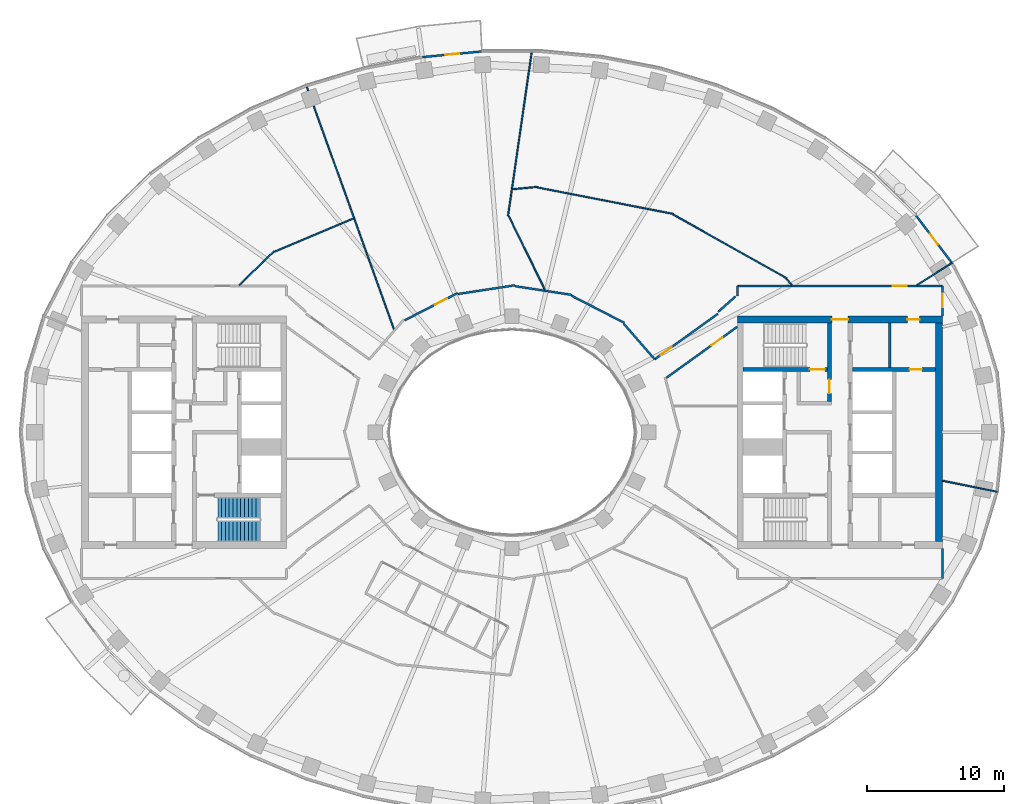
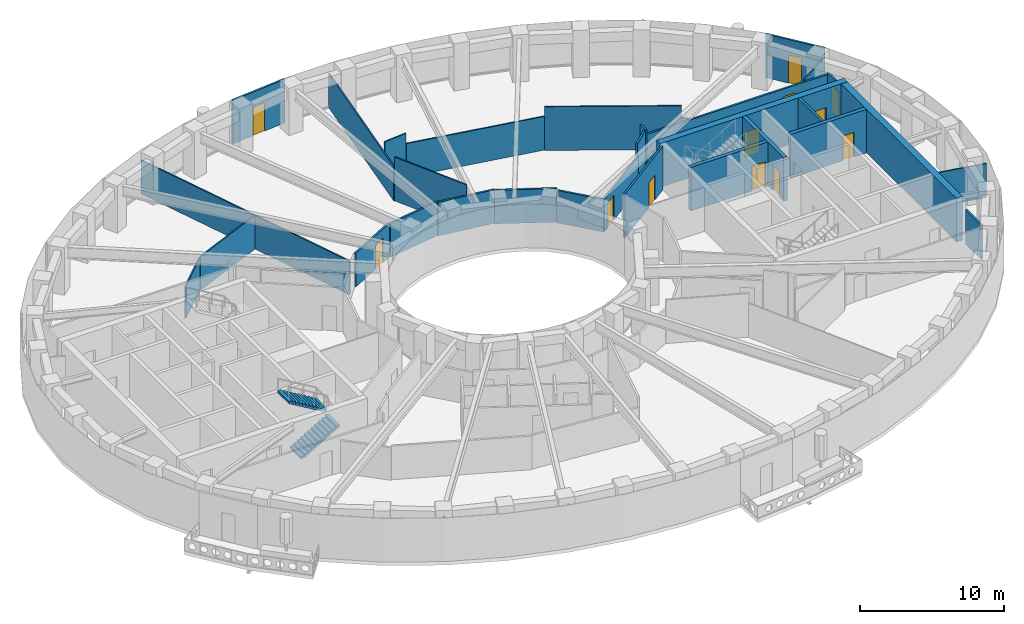
# One storey, part 6 of 16: 31 walls, 12 doors, 2 stair flights, 12 openings, 1 element without a shape of its own.
"""IFC4 building model written with IfcOpenShell, lengths in metres."""

from ifc_helpers import new_model, si_unit, direction, frame, frame_2d, origin, place, context, subcontext, project, spatial, polyline, rectangle, outline, extrude, material, layer, layer_set, type_object, element, fill, aggregate, save


model = new_model("IFC4")

# Units and contexts
model_context = context("Model", 3, precision=1e-05, world=origin(), true_north=direction((0.0, 1.0)))
body_context = subcontext(model_context, "Body", "Model", "MODEL_VIEW")
ifc_project = project(units=[si_unit("LENGTHUNIT", "METRE"), si_unit("AREAUNIT", "SQUARE_METRE"), si_unit("VOLUMEUNIT", "CUBIC_METRE"), si_unit("PLANEANGLEUNIT", "RADIAN"), si_unit("MASSUNIT", "GRAM", prefix="KILO")], contexts=[model_context])

# Site, building, storey
site_placement = place(None, origin())
site = spatial("IfcSite", under=ifc_project, at=site_placement, CompositionType="ELEMENT")
building_placement = place(site_placement, origin())
building = spatial("IfcBuilding", under=site, at=building_placement, Name="Noorbagh Ring Tower", CompositionType="ELEMENT")
storey_placement = place(building_placement, frame((0.0, 0.0, 174.0)))
storey = spatial("IfcBuildingStorey", under=building, at=storey_placement, Name="L40", CompositionType="ELEMENT", Elevation=174.0)

# Wall
ifc_material_1 = material(Name="Gypsum board on steel studs", Category="steel")
ifc_layer_1 = layer(ifc_material_1, 0.199951171875)
ifc_layer_set_1 = layer_set([ifc_layer_1], Name="Gypsum board on steel studs")
wall_type_1 = type_object("IfcWallType", Name="CORE-PARTITION-200", PredefinedType="PARTITIONING", material=ifc_layer_set_1)
wall_1_placement = place(storey_placement, frame((27.64990234375, 4.75, 0.0), z_axis=(0.0, 0.0, 1.0), x_axis=(0.0, 1.0, 0.0)))
element("IfcWall", 1, at=wall_1_placement, inside=storey, type_object=wall_type_1, Name="Core partition E", PredefinedType="PARTITIONING", context=body_context, shape_type="SweptSolid", body=[
    extrude(rectangle(XDim=3.25, YDim=0.199951171875, at=frame_2d((1.625, 0.0))), origin(), (0.0, 0.0, 1.0), 3.699951171875),
])

# Wall, opening, door
ifc_material_2 = material(Name="Concrete C60/75", Category="concrete")
ifc_layer_2 = layer(ifc_material_2, 0.300048828125)
ifc_layer_set_2 = layer_set([ifc_layer_2], Name="Concrete C60/75")
wall_type_2 = type_object("IfcWallType", Name="CORE-WALL-300-C60-75-EI240", PredefinedType="SHEAR", material=ifc_layer_set_2)
wall_2_placement = place(storey_placement, frame((24.89990234375, 4.60009765625, 0.0), z_axis=(0.0, 0.0, 1.0), x_axis=(1.0, 0.0, 0.0)))
wall_2 = element("IfcWall", 2, at=wall_2_placement, inside=storey, type_object=wall_type_2, Name="Core wall E", PredefinedType="SHEAR", context=body_context, shape_type="SweptSolid", body=[
    extrude(rectangle(XDim=6.10009765625, YDim=0.300048828125, at=frame_2d((3.050048828125, 0.0))), origin(), (0.0, 0.0, 1.0), 3.699951171875),
])
opening_1_placement = place(wall_2_placement, frame((4.199951171875, 0.0, 0.0)))
opening_1 = element("IfcOpeningElement", 3, at=opening_1_placement, cuts=wall_2, Name="Opening L40-CE17", PredefinedType="OPENING", context=body_context, shape_type="SweptSolid", body=[
    extrude(rectangle(XDim=0.89990234375, YDim=2.10009765625, at=frame_2d((0.449951171875, 1.050048828125))), frame((0.0, 0.16015625, 0.0), z_axis=(0.0, -1.0, 0.0), x_axis=(1.0, 0.0, 0.0)), (0.0, 0.0, 1.0), 0.320068359375),
])
ifc_material_3 = material(Name="Steel door leaf", Category="steel")
door_type_1 = type_object("IfcDoorType", Name="CORE-DOOR-DROOM", OperationType="SINGLE_SWING_LEFT", PredefinedType="DOOR", material=ifc_material_3)
door_1_placement = place(opening_1_placement, origin())
door_1 = element("IfcDoor", 4, at=door_1_placement, inside=storey, type_object=door_type_1, Name="Core room door L40-CE17", OperationType="SINGLE_SWING_RIGHT", OverallHeight=2.10009765625, OverallWidth=0.89990234375, PredefinedType="DOOR", context=body_context, shape_type="SweptSolid", body=[
    extrude(rectangle(XDim=0.89990234375, YDim=2.10009765625, at=frame_2d((0.449951171875, 1.050048828125))), frame((0.0, 0.02490234375, 0.0), z_axis=(0.0, -1.0, 0.0), x_axis=(1.0, 0.0, 0.0)), (0.0, 0.0, 1.0), 0.050048828125),
])
fill(opening_1, door_1)

wall_3_placement = place(storey_placement, frame((23.22998046875, 2.25, 0.0), z_axis=(0.0, 0.0, 1.0), x_axis=(0.0, 1.0, 0.0)))
wall_3 = element("IfcWall", 5, at=wall_3_placement, inside=storey, type_object=wall_type_2, Name="Core wall E", PredefinedType="SHEAR", context=body_context, shape_type="SweptSolid", body=[
    extrude(rectangle(XDim=5.75, YDim=0.300048828125, at=frame_2d((2.875, 0.0))), origin(), (0.0, 0.0, 1.0), 3.699951171875),
])
opening_2_placement = place(wall_3_placement, frame((0.60009765625, 0.0, 0.0)))
opening_2 = element("IfcOpeningElement", 6, at=opening_2_placement, cuts=wall_3, Name="Opening L40-CE10", PredefinedType="OPENING", context=body_context, shape_type="SweptSolid", body=[
    extrude(rectangle(XDim=1.0, YDim=2.10009765625, at=frame_2d((0.5, 1.050048828125))), frame((0.0, 0.16015625, 0.0), z_axis=(0.0, -1.0, 0.0), x_axis=(1.0, 0.0, 0.0)), (0.0, 0.0, 1.0), 0.320068359375),
])
ifc_material_4 = material(Name="Steel door leaf", Category="steel")
door_type_2 = type_object("IfcDoorType", Name="CORE-DOOR-DVEST", OperationType="SINGLE_SWING_LEFT", PredefinedType="DOOR", material=ifc_material_4)
door_2_placement = place(opening_2_placement, origin())
door_2 = element("IfcDoor", 7, at=door_2_placement, inside=storey, type_object=door_type_2, Name="Stair vestibule door L40-CE10", OperationType="SINGLE_SWING_RIGHT", OverallHeight=2.10009765625, OverallWidth=1.0, PredefinedType="DOOR", context=body_context, shape_type="SweptSolid", body=[
    extrude(rectangle(XDim=1.0, YDim=2.10009765625, at=frame_2d((0.5, 1.050048828125))), frame((0.0, 0.02490234375, 0.0), z_axis=(0.0, -1.0, 0.0), x_axis=(1.0, 0.0, 0.0)), (0.0, 0.0, 1.0), 0.050048828125),
])
fill(opening_2, door_2)

wall_4_placement = place(storey_placement, frame((16.89990234375, 4.60009765625, 0.0), z_axis=(0.0, 0.0, 1.0), x_axis=(1.0, 0.0, 0.0)))
wall_4 = element("IfcWall", 8, at=wall_4_placement, inside=storey, type_object=wall_type_2, Name="Core wall E", PredefinedType="SHEAR", context=body_context, shape_type="SweptSolid", body=[
    extrude(rectangle(XDim=6.18017578125, YDim=0.300048828125, at=frame_2d((3.090087890625, 0.0))), origin(), (0.0, 0.0, 1.0), 3.699951171875),
])
opening_3_placement = place(wall_4_placement, frame((4.89990234375, 0.0, 0.0)))
opening_3 = element("IfcOpeningElement", 9, at=opening_3_placement, cuts=wall_4, Name="Opening L40-CE07", PredefinedType="OPENING", context=body_context, shape_type="SweptSolid", body=[
    extrude(rectangle(XDim=1.10009765625, YDim=2.10009765625, at=frame_2d((0.550048828125, 1.050048828125))), frame((0.0, 0.16015625, 0.0), z_axis=(0.0, -1.0, 0.0), x_axis=(1.0, 0.0, 0.0)), (0.0, 0.0, 1.0), 0.320068359375),
])
ifc_material_5 = material(Name="Steel door leaf", Category="steel")
door_type_3 = type_object("IfcDoorType", Name="CORE-DOOR-DSTAIR", OperationType="SINGLE_SWING_LEFT", PredefinedType="DOOR", material=ifc_material_5)
door_3_placement = place(opening_3_placement, origin())
door_3 = element("IfcDoor", 10, at=door_3_placement, inside=storey, type_object=door_type_3, Name="Stair door ST3 L40-CE07", OperationType="SINGLE_SWING_LEFT", OverallHeight=2.10009765625, OverallWidth=1.10009765625, PredefinedType="DOOR", context=body_context, shape_type="SweptSolid", body=[
    extrude(rectangle(XDim=1.10009765625, YDim=2.10009765625, at=frame_2d((0.550048828125, 1.050048828125))), frame((0.0, 0.02490234375, 0.0), z_axis=(0.0, -1.0, 0.0), x_axis=(1.0, 0.0, 0.0)), (0.0, 0.0, 1.0), 0.050048828125),
])
fill(opening_3, door_3)

# Wall, openings, doors
ifc_material_6 = material(Name="Concrete C60/75", Category="concrete")
ifc_layer_3 = layer(ifc_material_6, 0.5)
ifc_layer_set_3 = layer_set([ifc_layer_3], Name="Concrete C60/75")
wall_type_3 = type_object("IfcWallType", Name="CORE-WALL-500-C60-75-EI240", PredefinedType="SHEAR", material=ifc_layer_set_3)
wall_5_placement = place(storey_placement, frame((16.5, 8.25, 0.0), z_axis=(0.0, 0.0, 1.0), x_axis=(1.0, 0.0, 0.0)))
wall_5 = element("IfcWall", 11, at=wall_5_placement, inside=storey, type_object=wall_type_3, Name="Core wall E", PredefinedType="SHEAR", context=body_context, shape_type="SweptSolid", body=[
    extrude(rectangle(XDim=15.0, YDim=0.5, at=frame_2d((7.5, 0.0))), origin(), (0.0, 0.0, 1.0), 3.699951171875),
])
opening_4_placement = place(wall_5_placement, frame((6.89990234375, 0.0, 0.0)))
opening_4 = element("IfcOpeningElement", 12, at=opening_4_placement, cuts=wall_5, Name="Opening L40-CE11", PredefinedType="OPENING", context=body_context, shape_type="SweptSolid", body=[
    extrude(rectangle(XDim=1.199951171875, YDim=2.10009765625, at=frame_2d((0.60009765625, 1.050048828125))), frame((0.0, 0.260009765625, 0.0), z_axis=(0.0, -1.0, 0.0), x_axis=(1.0, 0.0, 0.0)), (0.0, 0.0, 1.0), 0.52001953125),
])
opening_5_placement = place(wall_5_placement, frame((12.425048828125, 0.0, 0.0)))
opening_5 = element("IfcOpeningElement", 13, at=opening_5_placement, cuts=wall_5, Name="Opening L40-CE14", PredefinedType="OPENING", context=body_context, shape_type="SweptSolid", body=[
    extrude(rectangle(XDim=0.89990234375, YDim=2.10009765625, at=frame_2d((0.449951171875, 1.050048828125))), frame((0.0, 0.260009765625, 0.0), z_axis=(0.0, -1.0, 0.0), x_axis=(1.0, 0.0, 0.0)), (0.0, 0.0, 1.0), 0.52001953125),
])
door_4_placement = place(opening_5_placement, origin())
door_4 = element("IfcDoor", 14, at=door_4_placement, inside=storey, type_object=door_type_1, Name="Core room door L40-CE14", OperationType="SINGLE_SWING_LEFT", OverallHeight=2.10009765625, OverallWidth=0.89990234375, PredefinedType="DOOR", context=body_context, shape_type="SweptSolid", body=[
    extrude(rectangle(XDim=0.89990234375, YDim=2.10009765625, at=frame_2d((0.449951171875, 1.050048828125))), frame((0.0, 0.02490234375, 0.0), z_axis=(0.0, -1.0, 0.0), x_axis=(1.0, 0.0, 0.0)), (0.0, 0.0, 1.0), 0.050048828125),
])
fill(opening_5, door_4)
ifc_material_7 = material(Name="Steel door leaf", Category="steel")
door_type_4 = type_object("IfcDoorType", Name="CORE-DOOR-PORT", OperationType="DOUBLE_DOOR_DOUBLE_SWING", PredefinedType="DOOR", material=ifc_material_7)
door_5_placement = place(opening_4_placement, origin())
door_5 = element("IfcDoor", 15, at=door_5_placement, inside=storey, type_object=door_type_4, Name="Core entrance door L40-CE11", OperationType="DOUBLE_DOOR_DOUBLE_SWING", OverallHeight=2.10009765625, OverallWidth=1.199951171875, PredefinedType="DOOR", context=body_context, shape_type="SweptSolid", body=[
    extrude(rectangle(XDim=1.199951171875, YDim=2.10009765625, at=frame_2d((0.60009765625, 1.050048828125))), frame((0.0, 0.02490234375, 0.0), z_axis=(0.0, -1.0, 0.0), x_axis=(1.0, 0.0, 0.0)), (0.0, 0.0, 1.0), 0.050048828125),
])
fill(opening_4, door_5)

# Wall
wall_6_placement = place(storey_placement, frame((31.25, -8.0, 0.0), z_axis=(0.0, 0.0, 1.0), x_axis=(0.0, 1.0, 0.0)))
element("IfcWall", 16, at=wall_6_placement, inside=storey, type_object=wall_type_3, Name="Core wall E", PredefinedType="SHEAR", context=body_context, shape_type="SweptSolid", body=[
    extrude(rectangle(XDim=16.0, YDim=0.5, at=frame_2d((8.0, 0.0))), origin(), (0.0, 0.0, 1.0), 3.699951171875),
])

# Wall, opening, door
ifc_material_8 = material(Name="Gypsum board on steel studs", Category="steel")
ifc_layer_4 = layer(ifc_material_8, 0.14990234375)
ifc_layer_set_4 = layer_set([ifc_layer_4], Name="Gypsum board on steel studs")
wall_type_4 = type_object("IfcWallType", Name="CORRIDOR PARTITION 150 EI 30", PredefinedType="PARTITIONING", material=ifc_layer_set_4)
wall_7_placement = place(storey_placement, frame((-7.85888671875, 8.196044921875, 0.0), z_axis=(0.0, 0.0, 1.0), x_axis=(0.889405670308, 0.457118752213, 0.0)))
wall_7 = element("IfcWall", 17, at=wall_7_placement, inside=storey, type_object=wall_type_4, Name="L40/wall/P27", PredefinedType="PARTITIONING", context=body_context, shape_type="SweptSolid", body=[
    extrude(rectangle(XDim=4.35546875, YDim=0.14990234375, at=frame_2d((2.177734375, 0.0))), origin(), (0.0, 0.0, 1.0), 2.85009765625),
])
opening_6_placement = place(wall_7_placement, frame((2.490966796875, 0.0, 0.0)))
opening_6 = element("IfcOpeningElement", 18, at=opening_6_placement, cuts=wall_7, Name="Opening D1", PredefinedType="OPENING", context=body_context, shape_type="SweptSolid", body=[
    extrude(rectangle(XDim=1.0, YDim=2.10009765625, at=frame_2d((0.5, 1.050048828125))), frame((0.0, 0.0849609375, 0.0), z_axis=(0.0, -1.0, 0.0), x_axis=(1.0, 0.0, 0.0)), (0.0, 0.0, 1.0), 0.169921875),
])
ifc_material_9 = material(Name="Timber, painted", Category="wood")
door_type_5 = type_object("IfcDoorType", Name="DOOR 1000 X 2100 FD30", OperationType="SINGLE_SWING_LEFT", PredefinedType="DOOR", material=ifc_material_9)
door_6_placement = place(opening_6_placement, origin())
door_6 = element("IfcDoor", 19, at=door_6_placement, inside=storey, type_object=door_type_5, Name="L40-D09", OperationType="SINGLE_SWING_LEFT", OverallHeight=2.10009765625, OverallWidth=1.0, PredefinedType="DOOR", context=body_context, shape_type="SweptSolid", body=[
    extrude(rectangle(XDim=1.0, YDim=2.10009765625, at=frame_2d((0.5, 1.050048828125))), frame((0.0, 0.02490234375, 0.0), z_axis=(0.0, -1.0, 0.0), x_axis=(1.0, 0.0, 0.0)), (0.0, 0.0, 1.0), 0.050048828125),
])
fill(opening_6, door_6)

# Walls
for number, where, z_axis, x_axis, name in (
    (20, (-3.964111328125, 10.12109375, 0.0), (0.0, 0.0, 1.0), (0.988463044045, 0.151462241359, 0.0), "L40/wall/P31"),
    (21, (0.2119140625, 10.697021484375, 0.0), (0.0, 0.0, 1.0), (0.988454390794, -0.151518702874, 0.0), "L40/wall/P41"),
):
    element("IfcWall", number, at=place(storey_placement, frame(where, z_axis=z_axis, x_axis=x_axis)), inside=storey, type_object=wall_type_4, Name=name, PredefinedType="PARTITIONING", context=body_context, shape_type="SweptSolid", body=[
        extrude(rectangle(XDim=4.224853515625, YDim=0.14990234375, at=frame_2d((2.1123046875, 0.0))), origin(), (0.0, 0.0, 1.0), 2.85009765625),
    ])
wall_8_placement = place(storey_placement, frame((4.366943359375, 9.990966796875, 0.0), z_axis=(0.0, 0.0, 1.0), x_axis=(0.889480321924, -0.456973475061, 0.0)))
element("IfcWall", 22, at=wall_8_placement, inside=storey, type_object=wall_type_4, Name="L40/wall/P44", PredefinedType="PARTITIONING", context=body_context, shape_type="SweptSolid", body=[
    extrude(rectangle(XDim=4.33056640625, YDim=0.14990234375, at=frame_2d((2.165283203125, 0.0))), origin(), (0.0, 0.0, 1.0), 2.85009765625),
])
wall_9_placement = place(storey_placement, frame((8.172119140625, 7.951904296875, 0.0), z_axis=(0.0, 0.0, 1.0), x_axis=(0.656169966724, -0.754613129206, 0.0)))
element("IfcWall", 23, at=wall_9_placement, inside=storey, type_object=wall_type_4, Name="L40/wall/P47", PredefinedType="PARTITIONING", context=body_context, shape_type="SweptSolid", body=[
    extrude(rectangle(XDim=3.45458984375, YDim=0.14990234375, at=frame_2d((1.727294921875, 0.0))), origin(), (0.0, 0.0, 1.0), 2.75),
])

# Wall, opening, door
wall_10_placement = place(storey_placement, frame((10.43896484375, 5.344970703125, 0.0), z_axis=(0.0, 0.0, 1.0), x_axis=(0.811697765448, 0.584077681106, 0.0)))
wall_10 = element("IfcWall", 24, at=wall_10_placement, inside=storey, type_object=wall_type_4, Name="L40/wall/P49", PredefinedType="PARTITIONING", context=body_context, shape_type="SweptSolid", body=[
    extrude(rectangle(XDim=5.6943359375, YDim=0.14990234375, at=frame_2d((2.84716796875, 0.0))), origin(), (0.0, 0.0, 1.0), 2.75),
])
opening_7_placement = place(wall_10_placement, frame((0.544189453125, 0.0, 0.0)))
opening_7 = element("IfcOpeningElement", 25, at=opening_7_placement, cuts=wall_10, Name="Opening D1", PredefinedType="OPENING", context=body_context, shape_type="SweptSolid", body=[
    extrude(rectangle(XDim=1.0, YDim=2.10009765625, at=frame_2d((0.5, 1.050048828125))), frame((0.0, 0.0849609375, 0.0), z_axis=(0.0, -1.0, 0.0), x_axis=(1.0, 0.0, 0.0)), (0.0, 0.0, 1.0), 0.169921875),
])
door_7_placement = place(opening_7_placement, origin())
door_7 = element("IfcDoor", 26, at=door_7_placement, inside=storey, type_object=door_type_5, Name="L40-D10", OperationType="SINGLE_SWING_RIGHT", OverallHeight=2.10009765625, OverallWidth=1.0, PredefinedType="DOOR", context=body_context, shape_type="SweptSolid", body=[
    extrude(rectangle(XDim=1.0, YDim=2.10009765625, at=frame_2d((0.5, 1.050048828125))), frame((0.0, 0.02490234375, 0.0), z_axis=(0.0, -1.0, 0.0), x_axis=(1.0, 0.0, 0.0)), (0.0, 0.0, 1.0), 0.050048828125),
])
fill(opening_7, door_7)

wall_11_placement = place(storey_placement, frame((11.291015625, 3.986083984375, 0.0), z_axis=(0.0, 0.0, 1.0), x_axis=(0.81164111506, 0.584156400584, 0.0)))
wall_11 = element("IfcWall", 27, at=wall_11_placement, inside=storey, type_object=wall_type_4, Name="L40/wall/P53", PredefinedType="PARTITIONING", context=body_context, shape_type="SweptSolid", body=[
    extrude(rectangle(XDim=6.417724609375, YDim=0.14990234375, at=frame_2d((3.208984375, 0.0))), origin(), (0.0, 0.0, 1.0), 3.699951171875),
])
opening_8_placement = place(wall_11_placement, frame((4.06982421875, 0.0, 0.0)))
opening_8 = element("IfcOpeningElement", 28, at=opening_8_placement, cuts=wall_11, Name="Opening D1", PredefinedType="OPENING", context=body_context, shape_type="SweptSolid", body=[
    extrude(rectangle(XDim=1.0, YDim=2.10009765625, at=frame_2d((0.5, 1.050048828125))), frame((0.0, 0.0849609375, 0.0), z_axis=(0.0, -1.0, 0.0), x_axis=(1.0, 0.0, 0.0)), (0.0, 0.0, 1.0), 0.169921875),
])
door_8_placement = place(opening_8_placement, origin())
door_8 = element("IfcDoor", 29, at=door_8_placement, inside=storey, type_object=door_type_5, Name="L40-D18", OperationType="SINGLE_SWING_RIGHT", OverallHeight=2.10009765625, OverallWidth=1.0, PredefinedType="DOOR", context=body_context, shape_type="SweptSolid", body=[
    extrude(rectangle(XDim=1.0, YDim=2.10009765625, at=frame_2d((0.5, 1.050048828125))), frame((0.0, 0.02490234375, 0.0), z_axis=(0.0, -1.0, 0.0), x_axis=(1.0, 0.0, 0.0)), (0.0, 0.0, 1.0), 0.050048828125),
])
fill(opening_8, door_8)

# Wall
wall_12_placement = place(storey_placement, frame((16.5, 9.964111328125, 0.0), z_axis=(0.0, 0.0, 1.0), x_axis=(0.0, 1.0, 0.0)))
element("IfcWall", 30, at=wall_12_placement, inside=storey, type_object=wall_type_4, Name="L40/wall/P60", PredefinedType="PARTITIONING", context=body_context, shape_type="SweptSolid", body=[
    extrude(rectangle(XDim=0.73583984375, YDim=0.14990234375, at=frame_2d((0.367919921875, 0.0))), origin(), (0.0, 0.0, 1.0), 3.699951171875),
])

# Wall, opening, door
wall_13_placement = place(storey_placement, frame((16.5, 10.699951171875, 0.0), z_axis=(0.0, 0.0, 1.0), x_axis=(1.0, 0.0, 0.0)))
wall_13 = element("IfcWall", 31, at=wall_13_placement, inside=storey, type_object=wall_type_4, Name="L40/wall/P61", PredefinedType="PARTITIONING", context=body_context, shape_type="SweptSolid", body=[
    extrude(rectangle(XDim=15.0, YDim=0.14990234375, at=frame_2d((7.5, 0.0))), origin(), (0.0, 0.0, 1.0), 2.75),
])
opening_9_placement = place(wall_13_placement, frame((11.37109375, 0.0, 0.0)))
opening_9 = element("IfcOpeningElement", 32, at=opening_9_placement, cuts=wall_13, Name="Opening D1", PredefinedType="OPENING", context=body_context, shape_type="SweptSolid", body=[
    extrude(rectangle(XDim=1.0, YDim=2.10009765625, at=frame_2d((0.5, 1.050048828125))), frame((0.0, 0.0849609375, 0.0), z_axis=(0.0, -1.0, 0.0), x_axis=(1.0, 0.0, 0.0)), (0.0, 0.0, 1.0), 0.169921875),
])
door_9_placement = place(opening_9_placement, origin())
door_9 = element("IfcDoor", 33, at=door_9_placement, inside=storey, type_object=door_type_5, Name="L40-D11", OperationType="SINGLE_SWING_LEFT", OverallHeight=2.10009765625, OverallWidth=1.0, PredefinedType="DOOR", context=body_context, shape_type="SweptSolid", body=[
    extrude(rectangle(XDim=1.0, YDim=2.10009765625, at=frame_2d((0.5, 1.050048828125))), frame((0.0, 0.02490234375, 0.0), z_axis=(0.0, -1.0, 0.0), x_axis=(1.0, 0.0, 0.0)), (0.0, 0.0, 1.0), 0.050048828125),
])
fill(opening_9, door_9)

# Wall
wall_14_placement = place(storey_placement, frame((31.5, -10.699951171875, 0.0), z_axis=(0.0, 0.0, 1.0), x_axis=(0.0, 1.0, 0.0)))
element("IfcWall", 34, at=wall_14_placement, inside=storey, type_object=wall_type_4, Name="L40/wall/P65", PredefinedType="PARTITIONING", context=body_context, shape_type="SweptSolid", body=[
    extrude(rectangle(XDim=2.199951171875, YDim=0.14990234375, at=frame_2d((1.10009765625, 0.0))), origin(), (0.0, 0.0, 1.0), 2.89990234375),
])

# Wall, opening, door
wall_15_placement = place(storey_placement, frame((31.5, 8.5, 0.0), z_axis=(0.0, 0.0, 1.0), x_axis=(0.0, 1.0, 0.0)))
wall_15 = element("IfcWall", 35, at=wall_15_placement, inside=storey, type_object=wall_type_4, Name="L40/wall/P67", PredefinedType="PARTITIONING", context=body_context, shape_type="SweptSolid", body=[
    extrude(rectangle(XDim=2.199951171875, YDim=0.14990234375, at=frame_2d((1.10009765625, 0.0))), origin(), (0.0, 0.0, 1.0), 2.89990234375),
])
opening_10_placement = place(wall_15_placement, frame((0.64990234375, 0.0, 0.0)))
opening_10 = element("IfcOpeningElement", 36, at=opening_10_placement, cuts=wall_15, Name="Opening D1", PredefinedType="OPENING", context=body_context, shape_type="SweptSolid", body=[
    extrude(rectangle(XDim=1.0, YDim=2.10009765625, at=frame_2d((0.5, 1.050048828125))), frame((0.0, 0.0849609375, 0.0), z_axis=(0.0, -1.0, 0.0), x_axis=(1.0, 0.0, 0.0)), (0.0, 0.0, 1.0), 0.169921875),
])
door_10_placement = place(opening_10_placement, origin())
door_10 = element("IfcDoor", 37, at=door_10_placement, inside=storey, type_object=door_type_5, Name="L40-D14", OperationType="SINGLE_SWING_RIGHT", OverallHeight=2.10009765625, OverallWidth=1.0, PredefinedType="DOOR", context=body_context, shape_type="SweptSolid", body=[
    extrude(rectangle(XDim=1.0, YDim=2.10009765625, at=frame_2d((0.5, 1.050048828125))), frame((0.0, 0.02490234375, 0.0), z_axis=(0.0, -1.0, 0.0), x_axis=(1.0, 0.0, 0.0)), (0.0, 0.0, 1.0), 0.050048828125),
])
fill(opening_10, door_10)

# Wall
wall_16_placement = place(storey_placement, frame((15.0869140625, 8.819091796875, 0.0), z_axis=(0.0, 0.0, 1.0), x_axis=(0.747926695066, 0.663781333579, 0.0)))
element("IfcWall", 38, at=wall_16_placement, inside=storey, type_object=wall_type_4, Name="L40/wall/P71", PredefinedType="PARTITIONING", context=body_context, shape_type="SweptSolid", body=[
    extrude(rectangle(XDim=1.69140625, YDim=0.14990234375, at=frame_2d((0.845703125, 0.0))), origin(), (0.0, 0.0, 1.0), 3.699951171875),
])

# Wall, opening, door
ifc_material_10 = material(Name="Insulated aluminium clad panel", Category="aluminium")
ifc_layer_5 = layer(ifc_material_10, 0.14990234375)
ifc_layer_set_5 = layer_set([ifc_layer_5], Name="Insulated aluminium clad panel")
wall_type_5 = type_object("IfcWallType", Name="ENV-WALL-DOOR", PredefinedType="STANDARD", material=ifc_layer_set_5)
wall_17_placement = place(storey_placement, frame((32.20751953125, 12.37353515625, 0.0), z_axis=(0.0, 0.0, 1.0), x_axis=(-0.604045763106, 0.796949632081, 0.0)))
wall_17 = element("IfcWall", 39, at=wall_17_placement, inside=storey, type_object=wall_type_5, Name="Balcony door wall chord 04", PredefinedType="STANDARD", context=body_context, shape_type="SweptSolid", body=[
    extrude(rectangle(XDim=4.42333984375, YDim=0.14990234375, at=frame_2d((2.211669921875, 0.0))), origin(), (0.0, 0.0, 1.0), 3.699951171875),
])
opening_11_placement = place(wall_17_placement, frame((1.711669921875, 0.0, 0.0)))
opening_11 = element("IfcOpeningElement", 40, at=opening_11_placement, cuts=wall_17, Name="Opening D-BL", PredefinedType="OPENING", context=body_context, shape_type="SweptSolid", body=[
    extrude(rectangle(XDim=1.0, YDim=2.39990234375, at=frame_2d((0.5, 1.199951171875))), frame((0.0, 0.0849609375, 0.0), z_axis=(0.0, -1.0, 0.0), x_axis=(1.0, 0.0, 0.0)), (0.0, 0.0, 1.0), 0.169921875),
])
ifc_material_11 = material(Name="Aluminium and glass", Category="aluminium")
door_type_6 = type_object("IfcDoorType", Name="ENV-DOOR-BALCONY", OperationType="SINGLE_SWING_LEFT", PredefinedType="DOOR", material=ifc_material_11)
door_11_placement = place(opening_11_placement, origin())
door_11 = element("IfcDoor", 41, at=door_11_placement, inside=storey, type_object=door_type_6, Name="Balcony door chord 04", OperationType="SINGLE_SWING_LEFT", OverallHeight=2.39990234375, OverallWidth=1.0, PredefinedType="DOOR", context=body_context, shape_type="SweptSolid", body=[
    extrude(rectangle(XDim=1.0, YDim=2.39990234375, at=frame_2d((0.5, 1.199951171875))), frame((0.0, 0.02490234375, 0.0), z_axis=(0.0, -1.0, 0.0), x_axis=(1.0, 0.0, 0.0)), (0.0, 0.0, 1.0), 0.050048828125),
])
fill(opening_11, door_11)

wall_18_placement = place(storey_placement, frame((-2.166259765625, 27.875244140625, 0.0), z_axis=(0.0, 0.0, 1.0), x_axis=(-0.995473879823, -0.095035543824, 0.0)))
wall_18 = element("IfcWall", 42, at=wall_18_placement, inside=storey, type_object=wall_type_5, Name="Balcony door wall chord 13", PredefinedType="STANDARD", context=body_context, shape_type="SweptSolid", body=[
    extrude(rectangle(XDim=4.42626953125, YDim=0.14990234375, at=frame_2d((2.213134765625, 0.0))), origin(), (0.0, 0.0, 1.0), 3.699951171875),
])
opening_12_placement = place(wall_18_placement, frame((1.713134765625, 0.0, 0.0)))
opening_12 = element("IfcOpeningElement", 43, at=opening_12_placement, cuts=wall_18, Name="Opening D-BL", PredefinedType="OPENING", context=body_context, shape_type="SweptSolid", body=[
    extrude(rectangle(XDim=1.0, YDim=2.39990234375, at=frame_2d((0.5, 1.199951171875))), frame((0.0, 0.0849609375, 0.0), z_axis=(0.0, -1.0, 0.0), x_axis=(1.0, 0.0, 0.0)), (0.0, 0.0, 1.0), 0.169921875),
])
door_12_placement = place(opening_12_placement, origin())
door_12 = element("IfcDoor", 44, at=door_12_placement, inside=storey, type_object=door_type_6, Name="Balcony door chord 13", OperationType="SINGLE_SWING_LEFT", OverallHeight=2.39990234375, OverallWidth=1.0, PredefinedType="DOOR", context=body_context, shape_type="SweptSolid", body=[
    extrude(rectangle(XDim=1.0, YDim=2.39990234375, at=frame_2d((0.5, 1.199951171875))), frame((0.0, 0.02490234375, 0.0), z_axis=(0.0, -1.0, 0.0), x_axis=(1.0, 0.0, 0.0)), (0.0, 0.0, 1.0), 0.050048828125),
])
fill(opening_12, door_12)

# Walls
ifc_material_12 = material(Name="Gypsum board on steel studs", Category="steel")
ifc_layer_6 = layer(ifc_material_12, 0.10009765625)
ifc_layer_set_6 = layer_set([ifc_layer_6], Name="Gypsum board on steel studs")
wall_type_6 = type_object("IfcWallType", Name="PARTITION 100 GYPSUM", PredefinedType="PARTITIONING", material=ifc_layer_set_6)
wall_19_placement = place(storey_placement, frame((-19.95703125, 10.778076171875, 0.0), z_axis=(0.0, 0.0, 1.0), x_axis=(0.717304806733, 0.696759509614, 0.0)))
element("IfcWall", 45, at=wall_19_placement, inside=storey, type_object=wall_type_6, Name="L40/wall/P07", PredefinedType="PARTITIONING", context=body_context, shape_type="SweptSolid", body=[
    extrude(rectangle(XDim=3.56494140625, YDim=0.10009765625, at=frame_2d((1.782470703125, 0.0))), origin(), (0.0, 0.0, 1.0), 2.75),
])
wall_20_placement = place(storey_placement, frame((-17.3720703125, 13.218994140625, 0.0), z_axis=(0.0, 0.0, 1.0), x_axis=(0.921428289763, 0.38854846136, 0.0)))
element("IfcWall", 46, at=wall_20_placement, inside=storey, type_object=wall_type_6, Name="L40/wall/P09", PredefinedType="PARTITIONING", context=body_context, shape_type="SweptSolid", body=[
    extrude(rectangle(XDim=6.261962890625, YDim=0.10009765625, at=frame_2d((3.130859375, 0.0))), origin(), (0.0, 0.0, 1.0), 2.85009765625),
])
wall_21_placement = place(storey_placement, frame((-15.048095703125, 25.383056640625, 0.0), z_axis=(0.0, 0.0, 1.0), x_axis=(0.33832146485, -0.941030598026, 0.0)))
element("IfcWall", 47, at=wall_21_placement, inside=storey, type_object=wall_type_6, Name="L40/wall/P17", PredefinedType="PARTITIONING", context=body_context, shape_type="SweptSolid", body=[
    extrude(rectangle(XDim=18.96435546875, YDim=0.10009765625, at=frame_2d((9.482177734375, 0.0))), origin(), (0.0, 0.0, 1.0), 2.85009765625),
])
wall_22_placement = place(storey_placement, frame((-0.291015625, 15.83203125, 0.0), z_axis=(0.0, 0.0, 1.0), x_axis=(0.143011346171, 0.989721049017, 0.0)))
element("IfcWall", 48, at=wall_22_placement, inside=storey, type_object=wall_type_6, Name="L40/wall/P36", PredefinedType="PARTITIONING", context=body_context, shape_type="SweptSolid", body=[
    extrude(rectangle(XDim=12.187255859375, YDim=0.10009765625, at=frame_2d((6.09375, 0.0))), origin(), (0.0, 0.0, 1.0), 2.89990234375),
])
wall_23_placement = place(storey_placement, frame((-0.239013671875, 15.840087890625, 0.0), z_axis=(0.0, 0.0, 1.0), x_axis=(0.439288758493, -0.89834591704, 0.0)))
element("IfcWall", 49, at=wall_23_placement, inside=storey, type_object=wall_type_6, Name="L40/wall/P37", PredefinedType="PARTITIONING", context=body_context, shape_type="SweptSolid", body=[
    extrude(rectangle(XDim=6.014404296875, YDim=0.10009765625, at=frame_2d((3.00732421875, 0.0))), origin(), (0.0, 0.0, 1.0), 3.699951171875),
])
wall_24_placement = place(storey_placement, frame((0.0419921875, 17.7880859375, 0.0), z_axis=(0.0, 0.0, 1.0), x_axis=(0.995454500076, 0.095238323576, 0.0)))
element("IfcWall", 50, at=wall_24_placement, inside=storey, type_object=wall_type_6, Name="L40/wall/P39", PredefinedType="PARTITIONING", context=body_context, shape_type="SweptSolid", body=[
    extrude(rectangle(XDim=1.8251953125, YDim=0.10009765625, at=frame_2d((0.91259765625, 0.0))), origin(), (0.0, 0.0, 1.0), 3.699951171875),
])
wall_25_placement = place(storey_placement, frame((1.85693359375, 17.9208984375, 0.0), z_axis=(0.0, 0.0, 1.0), x_axis=(0.98153666983, -0.191274059348, 0.0)))
element("IfcWall", 51, at=wall_25_placement, inside=storey, type_object=wall_type_6, Name="L40/wall/P42", PredefinedType="PARTITIONING", context=body_context, shape_type="SweptSolid", body=[
    extrude(rectangle(XDim=10.147216796875, YDim=0.10009765625, at=frame_2d((5.07373046875, 0.0))), origin(), (0.0, 0.0, 1.0), 2.85009765625),
])
wall_26_placement = place(storey_placement, frame((11.802001953125, 15.93701171875, 0.0), z_axis=(0.0, 0.0, 1.0), x_axis=(0.871652836429, -0.490123793286, 0.0)))
element("IfcWall", 52, at=wall_26_placement, inside=storey, type_object=wall_type_6, Name="L40/wall/P54", PredefinedType="PARTITIONING", context=body_context, shape_type="SweptSolid", body=[
    extrude(rectangle(XDim=9.530029296875, YDim=0.10009765625, at=frame_2d((4.76513671875, 0.0))), origin(), (0.0, 0.0, 1.0), 3.699951171875),
])
wall_27_placement = place(storey_placement, frame((20.0791015625, 11.22900390625, 0.0), z_axis=(0.0, 0.0, 1.0), x_axis=(0.663614598559, -0.748074638375, 0.0)))
element("IfcWall", 53, at=wall_27_placement, inside=storey, type_object=wall_type_6, Name="L40/wall/P63", PredefinedType="PARTITIONING", context=body_context, shape_type="SweptSolid", body=[
    extrude(rectangle(XDim=0.60693359375, YDim=0.10009765625, at=frame_2d((0.303466796875, 0.0))), origin(), (0.0, 0.0, 1.0), 2.75),
])
wall_28_placement = place(storey_placement, frame((29.636962890625, 10.777099609375, 0.0), z_axis=(0.0, 0.0, 1.0), x_axis=(0.844810627195, 0.535065420467, 0.0)))
element("IfcWall", 54, at=wall_28_placement, inside=storey, type_object=wall_type_6, Name="L40/wall/P64", PredefinedType="PARTITIONING", context=body_context, shape_type="SweptSolid", body=[
    extrude(rectangle(XDim=3.0478515625, YDim=0.10009765625, at=frame_2d((1.52392578125, 0.0))), origin(), (0.0, 0.0, 1.0), 2.89990234375),
])
wall_29_placement = place(storey_placement, frame((31.5, -3.5419921875, 0.0), z_axis=(0.0, 0.0, 1.0), x_axis=(0.980357474535, -0.197228857227, 0.0)))
element("IfcWall", 55, at=wall_29_placement, inside=storey, type_object=wall_type_6, Name="L40/wall/P66", PredefinedType="PARTITIONING", context=body_context, shape_type="SweptSolid", body=[
    extrude(rectangle(XDim=4.09228515625, YDim=0.10009765625, at=frame_2d((2.046142578125, 0.0))), origin(), (0.0, 0.0, 1.0), 2.89990234375),
])

# Stair, stair flights
ifc_material_13 = material(Name="Concrete C40/50", Category="concrete")
stair_type = type_object("IfcStairType", Name="CORE-STAIR", PredefinedType="HALF_TURN_STAIR", material=ifc_material_13)
stair_placement = place(storey_placement, origin())
stair = element("IfcStair", 56, at=stair_placement, inside=storey, type_object=stair_type, Name="L40 Exit stair ST2", PredefinedType="HALF_TURN_STAIR")
ifc_material_14 = material(Name="Concrete C40/50", Category="concrete")
stair_flight_type = type_object("IfcStairFlightType", Name="CORE-STAIR-FLIGHT", PredefinedType="STRAIGHT", material=ifc_material_14)
stair_flight_1_placement = place(storey_placement, frame((-21.530029296875, -7.22509765625, 0.0), z_axis=(0.0, 0.0, 1.0), x_axis=(1.0, 0.0, 0.0)))
stair_flight_1 = element("IfcStairFlight", 57, at=stair_flight_1_placement, type_object=stair_flight_type, Name="ST2 flight 1", NumberOfRisers=12, NumberOfTreads=11, PredefinedType="STRAIGHT", RiserHeight=0.166666667, TreadLength=0.28, context=body_context, shape_type="SweptSolid", body=[
    extrude(outline(polyline([(0.0, 0.0), (0.0, 0.166748046875), (0.280029296875, 0.166748046875), (0.280029296875, 0.333251953125), (0.56005859375, 0.333251953125), (0.56005859375, 0.5), (0.840087890625, 0.5), (0.840087890625, 0.666748046875), (1.1201171875, 0.666748046875), (1.1201171875, 0.833251953125), (1.39990234375, 0.833251953125), (1.39990234375, 1.0), (1.679931640625, 1.0), (1.679931640625, 1.166748046875), (1.9599609375, 1.166748046875), (1.9599609375, 1.333251953125), (2.239990234375, 1.333251953125), (2.239990234375, 1.5), (2.52001953125, 1.5), (2.52001953125, 1.666748046875), (2.800048828125, 1.666748046875), (2.800048828125, 1.833251953125), (3.080078125, 1.833251953125), (3.080078125, 2.0), (3.080078125, 1.658935546875), (0.29296875, 0.0), (0.0, 0.0)])), frame((0.0, 0.77490234375, 0.0), z_axis=(0.0, -1.0, 0.0), x_axis=(1.0, 0.0, 0.0)), (0.0, 0.0, 1.0), 1.550048828125),
])
stair_flight_2_placement = place(storey_placement, frame((-18.449951171875, -5.52490234375, 2.0), z_axis=(0.0, 0.0, 1.0), x_axis=(-1.0, 0.0, 0.0)))
stair_flight_2 = element("IfcStairFlight", 58, at=stair_flight_2_placement, type_object=stair_flight_type, Name="ST2 flight 2", NumberOfRisers=12, NumberOfTreads=11, PredefinedType="STRAIGHT", RiserHeight=0.166666667, TreadLength=0.28, context=body_context, shape_type="SweptSolid", body=[
    extrude(outline(polyline([(0.0, 0.0), (0.0, 0.166748046875), (0.280029296875, 0.166748046875), (0.280029296875, 0.333251953125), (0.56005859375, 0.333251953125), (0.56005859375, 0.5), (0.840087890625, 0.5), (0.840087890625, 0.666748046875), (1.1201171875, 0.666748046875), (1.1201171875, 0.833251953125), (1.39990234375, 0.833251953125), (1.39990234375, 1.0), (1.679931640625, 1.0), (1.679931640625, 1.166748046875), (1.9599609375, 1.166748046875), (1.9599609375, 1.333251953125), (2.239990234375, 1.333251953125), (2.239990234375, 1.5), (2.52001953125, 1.5), (2.52001953125, 1.666748046875), (2.800048828125, 1.666748046875), (2.800048828125, 1.833251953125), (3.080078125, 1.833251953125), (3.080078125, 2.0), (3.080078125, 1.658935546875), (0.29296875, 0.0), (0.0, 0.0)])), frame((0.0, 0.77490234375, 0.0), z_axis=(0.0, -1.0, 0.0), x_axis=(1.0, 0.0, 0.0)), (0.0, 0.0, 1.0), 1.550048828125),
])
aggregate(stair, [stair_flight_1, stair_flight_2])

save(model, "model.ifc")
